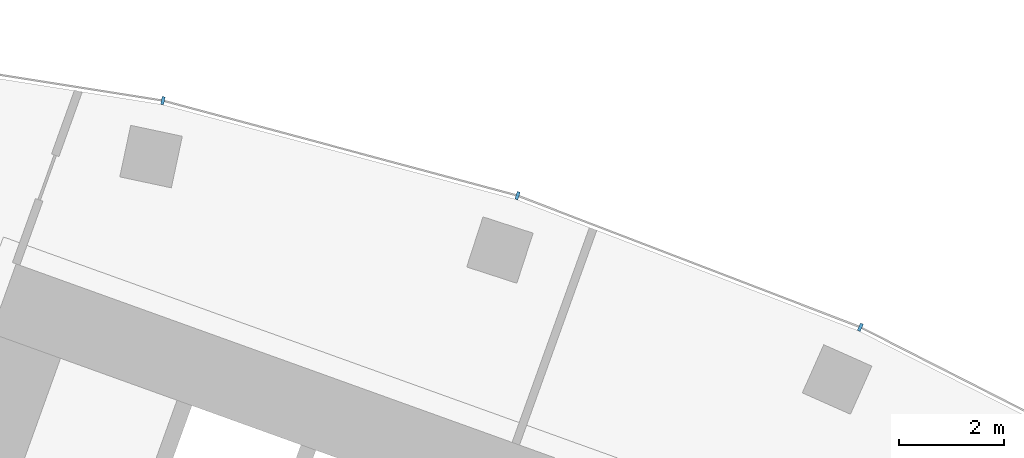
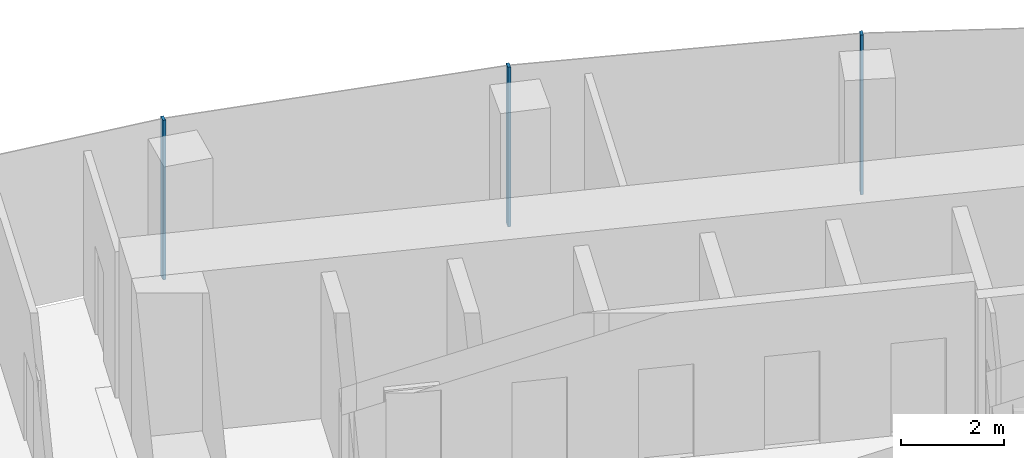
# One storey, part 10 of 20: 3 members, 1 element without a shape of its own.
"""IFC4 building model written with IfcOpenShell, lengths in metres."""

from ifc_helpers import new_model, si_unit, direction, frame, origin, origin_2d, place, context, subcontext, project, spatial, rectangle, extrude, material, layer, layer_set, material_profile, profile_set, type_object, element, aggregate, save


model = new_model("IFC4")

# Units and contexts
model_context = context("Model", 3, precision=1e-05, world=origin(), true_north=direction((0.0, 1.0)))
body_context = subcontext(model_context, "Body", "Model", "MODEL_VIEW")
ifc_project = project(units=[si_unit("LENGTHUNIT", "METRE"), si_unit("AREAUNIT", "SQUARE_METRE"), si_unit("VOLUMEUNIT", "CUBIC_METRE"), si_unit("PLANEANGLEUNIT", "RADIAN"), si_unit("MASSUNIT", "GRAM", prefix="KILO")], contexts=[model_context])

# Site, building, storey
site_placement = place(None, origin())
site = spatial("IfcSite", under=ifc_project, at=site_placement, CompositionType="ELEMENT")
building_placement = place(site_placement, origin())
building = spatial("IfcBuilding", under=site, at=building_placement, Name="Stone Belt Terrace Tower", CompositionType="ELEMENT")
storey_placement = place(building_placement, frame((0.0, 0.0, 185.800048828125)))
storey = spatial("IfcBuildingStorey", under=building, at=storey_placement, Name="L45", CompositionType="ELEMENT", Elevation=185.800048828125)

# Curtain wall, members
ifc_material = material(Name="Aluminium 6063-T6 anodised frame", Category="aluminium")
ifc_layer = layer(ifc_material, 0.14990234375)
ifc_layer_set = layer_set([ifc_layer], Name="CW-A unitised convex-face curtain wall")
curtain_wall_type = type_object("IfcCurtainWallType", Name="CW-A unitised convex-face curtain wall", PredefinedType="NOTDEFINED", material=ifc_layer_set)
curtain_wall_placement = place(storey_placement, origin())
curtain_wall = element("IfcCurtainWall", 1, at=curtain_wall_placement, inside=storey, type_object=curtain_wall_type, Name="CW-A convex face L45", PredefinedType="NOTDEFINED")
ifc_material_profile = material_profile(ifc_material, rectangle(XDim=0.14990234375, YDim=0.06005859375, at=origin_2d()), Name="Aluminium 6063-T6 60x150")
ifc_profile_set = profile_set([ifc_material_profile], Name="Aluminium 6063-T6 anodised frame")
member_type = type_object("IfcMemberType", Name="CW-A mullion 60 x 150", PredefinedType="MULLION", material=ifc_profile_set)
member_1_placement = place(storey_placement, frame((27.07861328125, 60.8193359375, 0.0), z_axis=(0.0, 0.0, 1.0), x_axis=(-0.406736643076, -0.913545457643, 0.0)))
member_1 = element("IfcMember", 2, at=member_1_placement, type_object=member_type, Name="CW-A mullion 4", PredefinedType="MULLION", context=body_context, shape_type="SweptSolid", body=[
    extrude(rectangle(XDim=0.14990234375, YDim=0.06005859375, at=origin_2d()), origin(), (0.0, 0.0, 1.0), 3.800048828125),
])
member_2_placement = place(storey_placement, frame((20.57275390625, 63.316650390625, 0.0), z_axis=(0.0, 0.0, 1.0), x_axis=(-0.309016994375, -0.951056516295, 0.0)))
member_2 = element("IfcMember", 3, at=member_2_placement, type_object=member_type, Name="CW-A mullion 5", PredefinedType="MULLION", context=body_context, shape_type="SweptSolid", body=[
    extrude(rectangle(XDim=0.14990234375, YDim=0.06005859375, at=origin_2d()), origin(), (0.0, 0.0, 1.0), 3.800048828125),
])
member_3_placement = place(storey_placement, frame((13.841796875, 65.120361328125, 0.0), z_axis=(0.0, 0.0, 1.0), x_axis=(-0.207911690818, -0.978147600734, 0.0)))
member_3 = element("IfcMember", 4, at=member_3_placement, type_object=member_type, Name="CW-A mullion 6", PredefinedType="MULLION", context=body_context, shape_type="SweptSolid", body=[
    extrude(rectangle(XDim=0.14990234375, YDim=0.06005859375, at=origin_2d()), origin(), (0.0, 0.0, 1.0), 3.800048828125),
])
aggregate(curtain_wall, [member_1, member_2, member_3])

save(model, "model.ifc")
